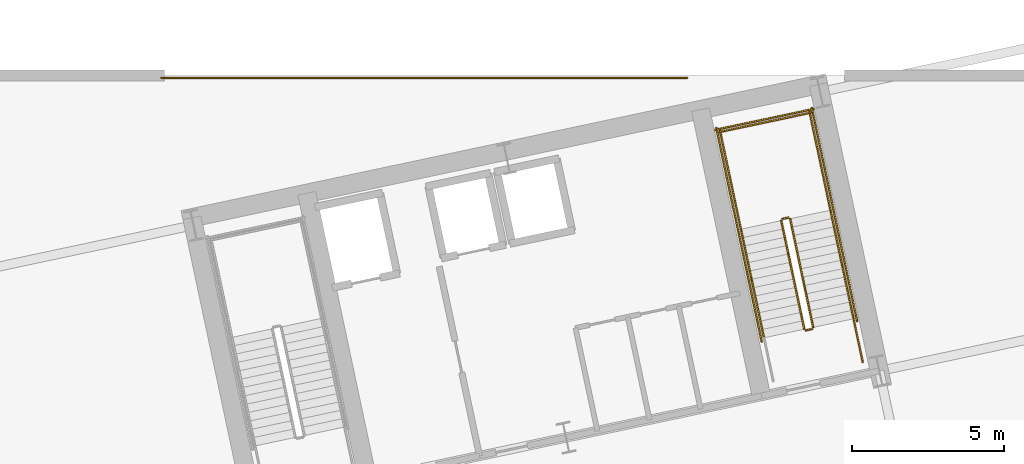
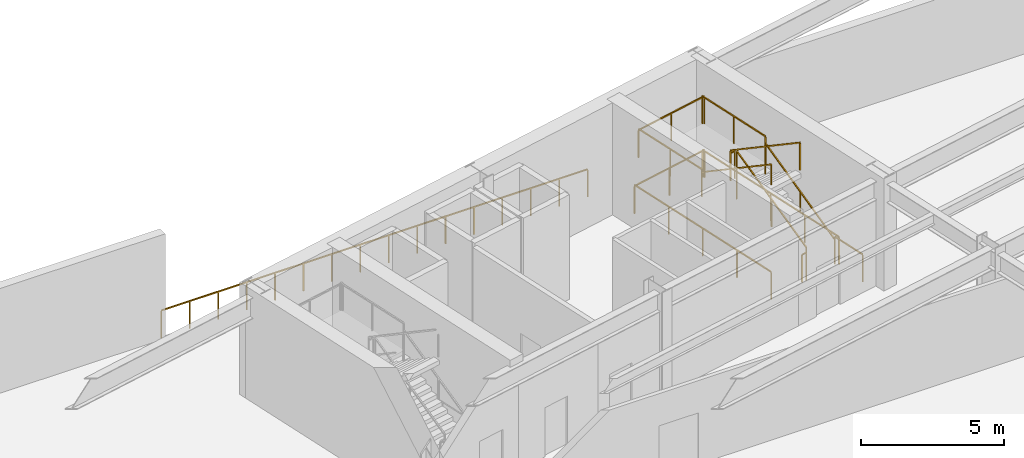
# One storey, part 27 of 28: 14 railings.
"""IFC4 building model written with IfcOpenShell, lengths in metres."""

from ifc_helpers import new_model, si_unit, direction, frame, origin, origin_2d, place, context, subcontext, project, spatial, rectangle, extrude, material, type_object, element, save


model = new_model("IFC4")

# Units and contexts
model_context = context("Model", 3, precision=1e-05, world=origin(), true_north=direction((0.0, 1.0)))
body_context = subcontext(model_context, "Body", "Model", "MODEL_VIEW")
ifc_project = project(units=[si_unit("LENGTHUNIT", "METRE"), si_unit("AREAUNIT", "SQUARE_METRE"), si_unit("VOLUMEUNIT", "CUBIC_METRE"), si_unit("PLANEANGLEUNIT", "RADIAN"), si_unit("MASSUNIT", "GRAM", prefix="KILO")], contexts=[model_context])

# Site, building, storey
site_placement = place(None, origin())
site = spatial("IfcSite", under=ifc_project, at=site_placement, CompositionType="ELEMENT")
building_placement = place(site_placement, origin())
building = spatial("IfcBuilding", under=site, at=building_placement, Name="Haevon Station Towers", CompositionType="ELEMENT")
storey_placement = place(building_placement, frame((0.0, 0.0, 10.800048828125)))
storey = spatial("IfcBuildingStorey", under=building, at=storey_placement, Name="L02", CompositionType="ELEMENT", Elevation=10.800048828125)

# Railings
ifc_material = material(Name="Steel S355", Category="steel")
railing_type_1 = type_object("IfcRailingType", Name="GRD-EXT1200", PredefinedType="GUARDRAIL", material=ifc_material)
railing_1_placement = place(storey_placement, frame((95.75, 51.419921875, 0.0)))
element("IfcRailing", 1, at=railing_1_placement, inside=storey, type_object=railing_type_1, Name="L02 North Podium Edge Guardrail", PredefinedType="GUARDRAIL", context=body_context, shape_type="SweptSolid", body=[
    extrude(rectangle(XDim=0.048095703125, YDim=0.048095703125, at=origin_2d()), frame((0.0, 0.0, 1.17578125), z_axis=(1.0, 0.0, 0.0), x_axis=(0.0, 1.0, 0.0)), (0.0, 0.0, 1.0), 17.25),
    extrude(rectangle(XDim=0.0419921875, YDim=0.0419921875, at=origin_2d()), origin(), (0.0, 0.0, 1.0), 1.15185546875),
    extrude(rectangle(XDim=0.0419921875, YDim=0.0419921875, at=origin_2d()), frame((1.14990234375, 0.0, 0.0)), (0.0, 0.0, 1.0), 1.15185546875),
    extrude(rectangle(XDim=0.0419921875, YDim=0.0419921875, at=origin_2d()), frame((2.300048828125, 0.0, 0.0)), (0.0, 0.0, 1.0), 1.15185546875),
    extrude(rectangle(XDim=0.0419921875, YDim=0.0419921875, at=origin_2d()), frame((3.449951171875, 0.0, 0.0)), (0.0, 0.0, 1.0), 1.15185546875),
    extrude(rectangle(XDim=0.0419921875, YDim=0.0419921875, at=origin_2d()), frame((4.60009765625, 0.0, 0.0)), (0.0, 0.0, 1.0), 1.15185546875),
    extrude(rectangle(XDim=0.0419921875, YDim=0.0419921875, at=origin_2d()), frame((5.75, 0.0, 0.0)), (0.0, 0.0, 1.0), 1.15185546875),
    extrude(rectangle(XDim=0.0419921875, YDim=0.0419921875, at=origin_2d()), frame((6.89990234375, 0.0, 0.0)), (0.0, 0.0, 1.0), 1.15185546875),
    extrude(rectangle(XDim=0.0419921875, YDim=0.0419921875, at=origin_2d()), frame((8.050048828125, 0.0, 0.0)), (0.0, 0.0, 1.0), 1.15185546875),
    extrude(rectangle(XDim=0.0419921875, YDim=0.0419921875, at=origin_2d()), frame((9.199951171875, 0.0, 0.0)), (0.0, 0.0, 1.0), 1.15185546875),
    extrude(rectangle(XDim=0.0419921875, YDim=0.0419921875, at=origin_2d()), frame((10.35009765625, 0.0, 0.0)), (0.0, 0.0, 1.0), 1.15185546875),
    extrude(rectangle(XDim=0.0419921875, YDim=0.0419921875, at=origin_2d()), frame((11.5, 0.0, 0.0)), (0.0, 0.0, 1.0), 1.15185546875),
    extrude(rectangle(XDim=0.0419921875, YDim=0.0419921875, at=origin_2d()), frame((12.64990234375, 0.0, 0.0)), (0.0, 0.0, 1.0), 1.15185546875),
    extrude(rectangle(XDim=0.0419921875, YDim=0.0419921875, at=origin_2d()), frame((13.800048828125, 0.0, 0.0)), (0.0, 0.0, 1.0), 1.15185546875),
    extrude(rectangle(XDim=0.0419921875, YDim=0.0419921875, at=origin_2d()), frame((14.949951171875, 0.0, 0.0)), (0.0, 0.0, 1.0), 1.15185546875),
    extrude(rectangle(XDim=0.0419921875, YDim=0.0419921875, at=origin_2d()), frame((16.10009765625, 0.0, 0.0)), (0.0, 0.0, 1.0), 1.15185546875),
    extrude(rectangle(XDim=0.0419921875, YDim=0.0419921875, at=origin_2d()), frame((17.25, 0.0, 0.0)), (0.0, 0.0, 1.0), 1.15185546875),
])
railing_type_2 = type_object("IfcRailingType", Name="GRD-STR1200", PredefinedType="GUARDRAIL", material=ifc_material)
railing_2_placement = place(storey_placement, frame((117.128662109375, 43.23974609375, 0.17138671875)))
element("IfcRailing", 2, at=railing_2_placement, inside=storey, type_object=railing_type_2, Name="L02 ST4 Stair Guard 1", PredefinedType="GUARDRAIL", context=body_context, shape_type="SweptSolid", body=[
    extrude(rectangle(XDim=0.048095703125, YDim=0.048095703125, at=origin_2d()), frame((0.0, 0.0, 1.17578125), z_axis=(-0.177324344861, 0.834225240467, 0.522134393512), x_axis=(-0.978146576304, -0.207916510322, 0.0)), (0.0, 0.0, 1.0), 4.26806640625),
    extrude(rectangle(XDim=0.0419921875, YDim=0.0419921875, at=origin_2d()), origin(), (0.0, 0.0, 1.0), 1.15185546875),
    extrude(rectangle(XDim=0.0419921875, YDim=0.0419921875, at=origin_2d()), frame((-0.37841796875, 1.7802734375, 1.1142578125)), (0.0, 0.0, 1.0), 1.15185546875),
    extrude(rectangle(XDim=0.0419921875, YDim=0.0419921875, at=origin_2d()), frame((-0.7568359375, 3.560546875, 2.228515625)), (0.0, 0.0, 1.0), 1.15185546875),
])
railing_3_placement = place(storey_placement, frame((116.3125, 46.838623046875, 2.39990234375)))
element("IfcRailing", 3, at=railing_3_placement, inside=storey, type_object=railing_type_2, Name="L02 ST4 Stair Guard 2", PredefinedType="GUARDRAIL", context=body_context, shape_type="SweptSolid", body=[
    extrude(rectangle(XDim=0.048095703125, YDim=0.048095703125, at=origin_2d()), frame((0.0, 0.0, 1.17578125), z_axis=(-0.978211583308, -0.207610448392, 0.0), x_axis=(0.207610448392, -0.978211583308, 0.0)), (0.0, 0.0, 1.0), 0.199951171875),
    extrude(rectangle(XDim=0.0419921875, YDim=0.0419921875, at=origin_2d()), origin(), (0.0, 0.0, 1.0), 1.15185546875),
    extrude(rectangle(XDim=0.0419921875, YDim=0.0419921875, at=origin_2d()), frame((-0.195556640625, -0.04150390625, 0.0)), (0.0, 0.0, 1.0), 1.15185546875),
])
for number, where, name in (
    (4, (117.6923828125, 47.080810546875, 2.39990234375), "L02 ST4 Stair Guard 3"),
    (5, (114.7578125, 46.45703125, 2.39990234375), "L02 ST4 Stair Guard 4"),
):
    element("IfcRailing", number, at=place(storey_placement, frame(where)), inside=storey, type_object=railing_type_2, Name=name, PredefinedType="GUARDRAIL", context=body_context, shape_type="SweptSolid", body=[
        extrude(rectangle(XDim=0.048095703125, YDim=0.048095703125, at=origin_2d()), frame((0.0, 0.0, 1.17578125), z_axis=(-0.207916974835, 0.978146477566, 0.0), x_axis=(-0.978146477566, -0.207916974835, 0.0)), (0.0, 0.0, 1.0), 3.31005859375),
        extrude(rectangle(XDim=0.0419921875, YDim=0.0419921875, at=origin_2d()), origin(), (0.0, 0.0, 1.0), 1.15185546875),
        extrude(rectangle(XDim=0.0419921875, YDim=0.0419921875, at=origin_2d()), frame((-0.34423828125, 1.618896484375, 0.0)), (0.0, 0.0, 1.0), 1.15185546875),
        extrude(rectangle(XDim=0.0419921875, YDim=0.0419921875, at=origin_2d()), frame((-0.688232421875, 3.23779296875, 0.0)), (0.0, 0.0, 1.0), 1.15185546875),
    ])
railing_4_placement = place(storey_placement, frame((117.0634765625, 50.280029296875, 2.39990234375)))
element("IfcRailing", 6, at=railing_4_placement, inside=storey, type_object=railing_type_2, Name="L02 ST4 Stair Guard 5", PredefinedType="GUARDRAIL", context=body_context, shape_type="SweptSolid", body=[
    extrude(rectangle(XDim=0.048095703125, YDim=0.048095703125, at=origin_2d()), frame((0.0, 0.0, 1.17578125), z_axis=(-0.978146839882, -0.207915270313, 0.0), x_axis=(0.207915270313, -0.978146839882, 0.0)), (0.0, 0.0, 1.0), 3.099853515625),
    extrude(rectangle(XDim=0.0419921875, YDim=0.0419921875, at=origin_2d()), origin(), (0.0, 0.0, 1.0), 1.15185546875),
    extrude(rectangle(XDim=0.0419921875, YDim=0.0419921875, at=origin_2d()), frame((-1.51611328125, -0.322265625, 0.0)), (0.0, 0.0, 1.0), 1.15185546875),
    extrude(rectangle(XDim=0.0419921875, YDim=0.0419921875, at=origin_2d()), frame((-3.0322265625, -0.64453125, 0.0)), (0.0, 0.0, 1.0), 1.15185546875),
])
railing_5_placement = place(storey_placement, frame((116.078369140625, 46.73779296875, 2.5712890625)))
element("IfcRailing", 7, at=railing_5_placement, inside=storey, type_object=railing_type_2, Name="L02 ST4 Stair Guard 6", PredefinedType="GUARDRAIL", context=body_context, shape_type="SweptSolid", body=[
    extrude(rectangle(XDim=0.048095703125, YDim=0.048095703125, at=origin_2d()), frame((0.0, 0.0, 1.17578125), z_axis=(0.177319048694, -0.834200324564, 0.522175998556), x_axis=(0.978146576304, 0.207916510322, 0.0)), (0.0, 0.0, 1.0), 4.268310546875),
    extrude(rectangle(XDim=0.0419921875, YDim=0.0419921875, at=origin_2d()), origin(), (0.0, 0.0, 1.0), 1.15185546875),
    extrude(rectangle(XDim=0.0419921875, YDim=0.0419921875, at=origin_2d()), frame((0.37841796875, -1.7802734375, 1.1142578125)), (0.0, 0.0, 1.0), 1.15185546875),
    extrude(rectangle(XDim=0.0419921875, YDim=0.0419921875, at=origin_2d()), frame((0.7568359375, -3.560546875, 2.228759765625)), (0.0, 0.0, 1.0), 1.15185546875),
])
railing_6_placement = place(storey_placement, frame((117.090087890625, 43.180419921875, 0.0)))
element("IfcRailing", 8, at=railing_6_placement, inside=storey, type_object=railing_type_2, Name="L02 ST4 Stair Guard 7", PredefinedType="GUARDRAIL", context=body_context, shape_type="SweptSolid", body=[
    extrude(rectangle(XDim=0.048095703125, YDim=0.048095703125, at=origin_2d()), frame((0.0, 0.0, 1.17578125), z_axis=(-0.978211583308, -0.207610448392, 0.0), x_axis=(0.207610448392, -0.978211583308, 0.0)), (0.0, 0.0, 1.0), 0.199951171875),
    extrude(rectangle(XDim=0.0419921875, YDim=0.0419921875, at=origin_2d()), origin(), (0.0, 0.0, 1.0), 1.15185546875),
    extrude(rectangle(XDim=0.0419921875, YDim=0.0419921875, at=origin_2d()), frame((-0.195556640625, -0.04150390625, 0.0)), (0.0, 0.0, 1.0), 1.15185546875),
])
railing_7_placement = place(storey_placement, frame((118.75048828125, 42.10205078125, 0.0)))
element("IfcRailing", 9, at=railing_7_placement, inside=storey, type_object=railing_type_2, Name="L02 ST4 Stair Guard 8", PredefinedType="GUARDRAIL", context=body_context, shape_type="SweptSolid", body=[
    extrude(rectangle(XDim=0.048095703125, YDim=0.048095703125, at=origin_2d()), frame((0.0, 0.0, 1.17578125), z_axis=(-0.207919161079, 0.978146012851, 0.0), x_axis=(-0.978146012851, -0.207919161079, 0.0)), (0.0, 0.0, 1.0), 1.4501953125),
    extrude(rectangle(XDim=0.0419921875, YDim=0.0419921875, at=origin_2d()), origin(), (0.0, 0.0, 1.0), 1.15185546875),
    extrude(rectangle(XDim=0.0419921875, YDim=0.0419921875, at=origin_2d()), frame((-0.301513671875, 1.41845703125, 0.0)), (0.0, 0.0, 1.0), 1.15185546875),
])
railing_8_placement = place(storey_placement, frame((118.567626953125, 43.443359375, 0.0)))
element("IfcRailing", 10, at=railing_8_placement, inside=storey, type_object=railing_type_2, Name="L02 ST4 Stair Guard 10", PredefinedType="GUARDRAIL", context=body_context, shape_type="SweptSolid", body=[
    extrude(rectangle(XDim=0.048095703125, YDim=0.048095703125, at=origin_2d()), frame((0.0, 0.0, 1.17578125), z_axis=(-0.207908168386, 0.978148349443, 0.0), x_axis=(-0.978148349443, -0.207908168386, 0.0)), (0.0, 0.0, 1.0), 7.150146484375),
    extrude(rectangle(XDim=0.0419921875, YDim=0.0419921875, at=origin_2d()), origin(), (0.0, 0.0, 1.0), 1.15185546875),
    extrude(rectangle(XDim=0.0419921875, YDim=0.0419921875, at=origin_2d()), frame((-0.37158203125, 1.74853515625, 0.0)), (0.0, 0.0, 1.0), 1.15185546875),
    extrude(rectangle(XDim=0.0419921875, YDim=0.0419921875, at=origin_2d()), frame((-0.7431640625, 3.4970703125, 0.0)), (0.0, 0.0, 1.0), 1.15185546875),
    extrude(rectangle(XDim=0.0419921875, YDim=0.0419921875, at=origin_2d()), frame((-1.114990234375, 5.245361328125, 0.0)), (0.0, 0.0, 1.0), 1.15185546875),
    extrude(rectangle(XDim=0.0419921875, YDim=0.0419921875, at=origin_2d()), frame((-1.486572265625, 6.993896484375, 0.0)), (0.0, 0.0, 1.0), 1.15185546875),
])
railing_9_placement = place(storey_placement, frame((115.4375, 42.778076171875, 0.0)))
element("IfcRailing", 11, at=railing_9_placement, inside=storey, type_object=railing_type_2, Name="L02 ST4 Stair Guard 11", PredefinedType="GUARDRAIL", context=body_context, shape_type="SweptSolid", body=[
    extrude(rectangle(XDim=0.048095703125, YDim=0.048095703125, at=origin_2d()), frame((0.0, 0.0, 1.17578125), z_axis=(-0.207882442208, 0.978153817261, 0.0), x_axis=(-0.978153817261, -0.207882442208, 0.0)), (0.0, 0.0, 1.0), 7.14990234375),
    extrude(rectangle(XDim=0.0419921875, YDim=0.0419921875, at=origin_2d()), origin(), (0.0, 0.0, 1.0), 1.15185546875),
    extrude(rectangle(XDim=0.0419921875, YDim=0.0419921875, at=origin_2d()), frame((-0.37158203125, 1.74853515625, 0.0)), (0.0, 0.0, 1.0), 1.15185546875),
    extrude(rectangle(XDim=0.0419921875, YDim=0.0419921875, at=origin_2d()), frame((-0.7431640625, 3.496826171875, 0.0)), (0.0, 0.0, 1.0), 1.15185546875),
    extrude(rectangle(XDim=0.0419921875, YDim=0.0419921875, at=origin_2d()), frame((-1.11474609375, 5.2451171875, 0.0)), (0.0, 0.0, 1.0), 1.15185546875),
    extrude(rectangle(XDim=0.0419921875, YDim=0.0419921875, at=origin_2d()), frame((-1.486328125, 6.99365234375, 0.0)), (0.0, 0.0, 1.0), 1.15185546875),
])
railing_10_placement = place(storey_placement, frame((117.140380859375, 50.398681640625, 0.0)))
element("IfcRailing", 12, at=railing_10_placement, inside=storey, type_object=railing_type_2, Name="L02 ST4 Stair Guard 12", PredefinedType="GUARDRAIL", context=body_context, shape_type="SweptSolid", body=[
    extrude(rectangle(XDim=0.048095703125, YDim=0.048095703125, at=origin_2d()), frame((0.0, 0.0, 1.17578125), z_axis=(-0.978135717418, -0.207967589567, 0.0), x_axis=(0.207967589567, -0.978135717418, 0.0)), (0.0, 0.0, 1.0), 3.300048828125),
    extrude(rectangle(XDim=0.0419921875, YDim=0.0419921875, at=origin_2d()), origin(), (0.0, 0.0, 1.0), 1.15185546875),
    extrude(rectangle(XDim=0.0419921875, YDim=0.0419921875, at=origin_2d()), frame((-1.61376953125, -0.34326171875, 0.0)), (0.0, 0.0, 1.0), 1.15185546875),
    extrude(rectangle(XDim=0.0419921875, YDim=0.0419921875, at=origin_2d()), frame((-3.227783203125, -0.686279296875, 0.0)), (0.0, 0.0, 1.0), 1.15185546875),
])
railing_type_3 = type_object("IfcRailingType", Name="HND-STR900", PredefinedType="HANDRAIL", material=ifc_material)
railing_11_placement = place(storey_placement, frame((118.448974609375, 43.5205078125, 0.17138671875)))
element("IfcRailing", 13, at=railing_11_placement, inside=storey, type_object=railing_type_3, Name="L02 ST4 Stair Handrail 1", PredefinedType="HANDRAIL", context=body_context, shape_type="SweptSolid", body=[
    extrude(rectangle(XDim=0.048095703125, YDim=0.048095703125, at=origin_2d()), frame((0.0, 0.0, 0.8759765625), z_axis=(-0.17727740081, 0.834216307201, 0.522164606194), x_axis=(-0.978157316656, -0.207865975747, 0.0)), (0.0, 0.0, 1.0), 4.267822265625),
    extrude(rectangle(XDim=0.0419921875, YDim=0.0419921875, at=origin_2d()), origin(), (0.0, 0.0, 1.0), 0.851806640625),
    extrude(rectangle(XDim=0.0419921875, YDim=0.0419921875, at=origin_2d()), frame((-0.37841796875, 1.7802734375, 1.1142578125)), (0.0, 0.0, 1.0), 0.851806640625),
    extrude(rectangle(XDim=0.0419921875, YDim=0.0419921875, at=origin_2d()), frame((-0.756591796875, 3.560302734375, 2.228515625)), (0.0, 0.0, 1.0), 0.851806640625),
])
railing_12_placement = place(storey_placement, frame((114.7578125, 46.45703125, 2.5712890625)))
element("IfcRailing", 14, at=railing_12_placement, inside=storey, type_object=railing_type_3, Name="L02 ST4 Stair Handrail 2", PredefinedType="HANDRAIL", context=body_context, shape_type="SweptSolid", body=[
    extrude(rectangle(XDim=0.048095703125, YDim=0.048095703125, at=origin_2d()), frame((0.0, 0.0, 0.8759765625), z_axis=(0.177327509965, -0.83418292833, 0.522200915637), x_axis=(0.978143676638, 0.20793015138, 0.0)), (0.0, 0.0, 1.0), 4.26806640625),
    extrude(rectangle(XDim=0.0419921875, YDim=0.0419921875, at=origin_2d()), origin(), (0.0, 0.0, 1.0), 0.851806640625),
    extrude(rectangle(XDim=0.0419921875, YDim=0.0419921875, at=origin_2d()), frame((0.37841796875, -1.7802734375, 1.1142578125)), (0.0, 0.0, 1.0), 0.851806640625),
    extrude(rectangle(XDim=0.0419921875, YDim=0.0419921875, at=origin_2d()), frame((0.7568359375, -3.560302734375, 2.228759765625)), (0.0, 0.0, 1.0), 0.851806640625),
])

save(model, "model.ifc")
